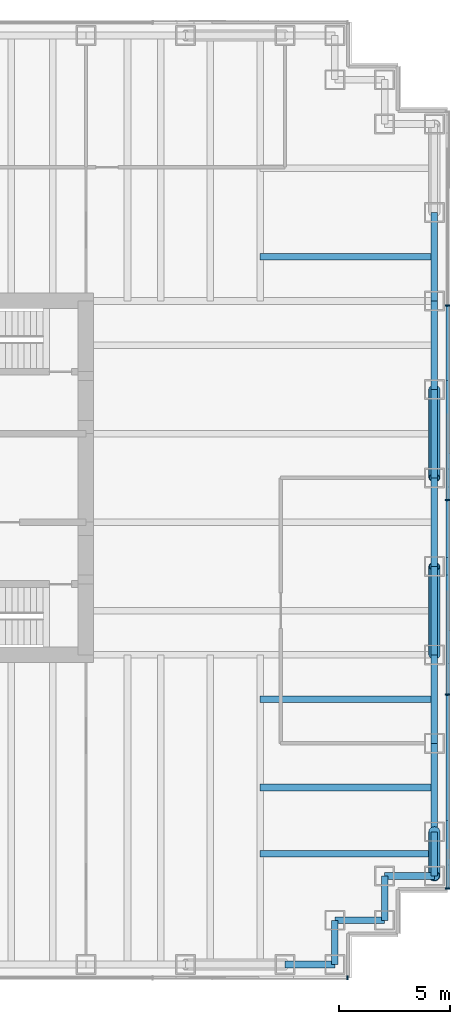
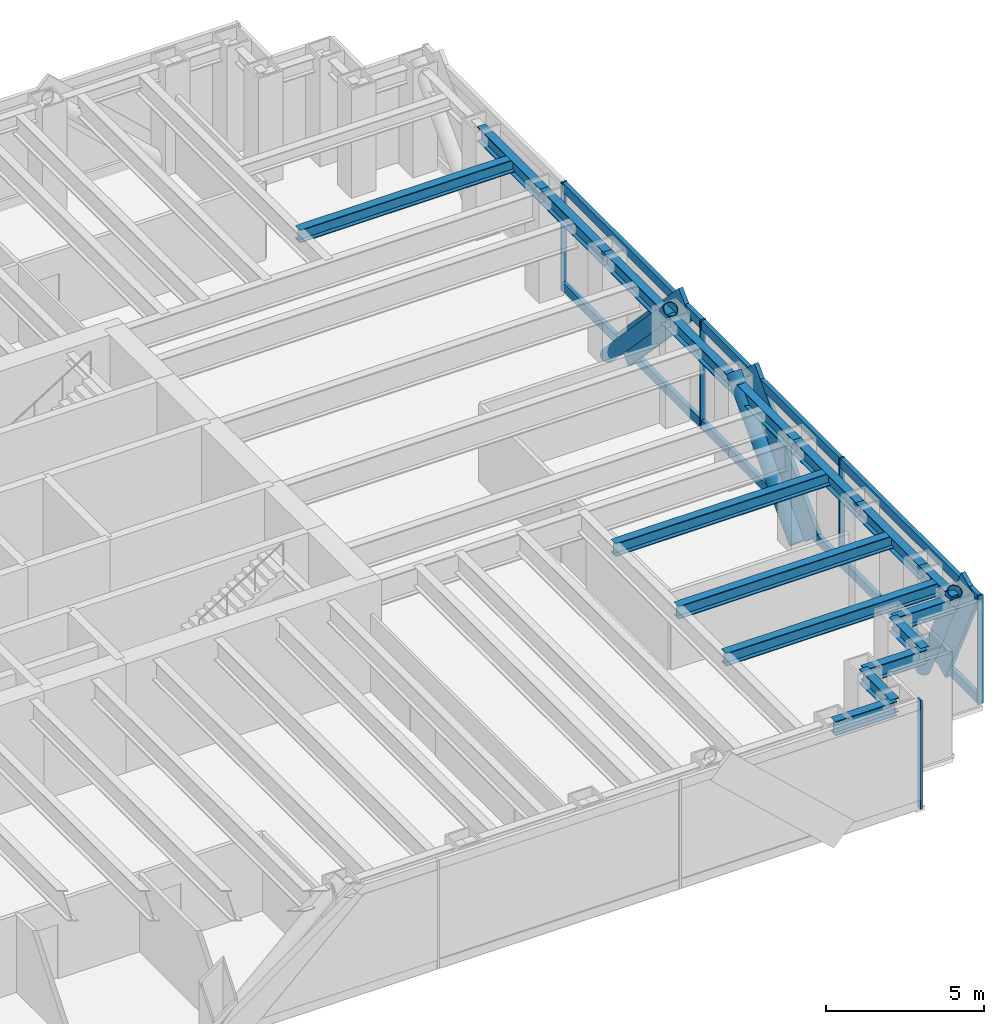
# One storey, part 8 of 15: 17 beams, 17 members, 2 elements without a shape of their own.
"""IFC4 building model written with IfcOpenShell, lengths in metres."""

from ifc_helpers import new_model, si_unit, direction, frame, origin, origin_2d, place, context, subcontext, project, spatial, rectangle, hollow_circle, i_section, extrude, material, material_profile, profile_set, type_object, element, aggregate, save


model = new_model("IFC4")

# Units and contexts
model_context = context("Model", 3, precision=1e-05, world=origin(), true_north=direction((0.0, 1.0)))
body_context = subcontext(model_context, "Body", "Model", "MODEL_VIEW")
ifc_project = project(units=[si_unit("LENGTHUNIT", "METRE"), si_unit("AREAUNIT", "SQUARE_METRE"), si_unit("VOLUMEUNIT", "CUBIC_METRE"), si_unit("PLANEANGLEUNIT", "RADIAN"), si_unit("MASSUNIT", "GRAM", prefix="KILO")], contexts=[model_context])

# Site, building, storey
site_placement = place(None, origin())
site = spatial("IfcSite", under=ifc_project, at=site_placement, CompositionType="ELEMENT")
building_placement = place(site_placement, origin())
building = spatial("IfcBuilding", under=site, at=building_placement, Name="Rheinbord Bourse Tower", CompositionType="ELEMENT")
storey_placement = place(building_placement, frame((0.0, 0.0, 308.89990234375)))
storey = spatial("IfcBuildingStorey", under=building, at=storey_placement, Name="L70", CompositionType="ELEMENT", Elevation=308.89990234375)

# Curtain wall, members
ifc_material_1 = material(Name="Dark glass and black aluminium", Category="aluminium")
curtain_wall_type = type_object("IfcCurtainWallType", Name="CW3 DARK GLASS CURTAIN WALL", PredefinedType="USERDEFINED", material=ifc_material_1)
curtain_wall_1_placement = place(storey_placement, origin())
curtain_wall_1 = element("IfcCurtainWall", 1, at=curtain_wall_1_placement, inside=storey, type_object=curtain_wall_type, Name="Curtain wall CW3 E L70", ObjectType="UNITISED CURTAIN WALL", PredefinedType="USERDEFINED")
ifc_material_2 = material(Name="Black anodised aluminium", Category="aluminium")
ifc_material_profile_1 = material_profile(ifc_material_2, rectangle(XDim=0.14990234375, YDim=1.10791015625, at=origin_2d()), Name="CW3 DIAGONAL MULLION 1108x150")
ifc_profile_set_1 = profile_set([ifc_material_profile_1], Name="Black anodised aluminium")
member_type_1 = type_object("IfcMemberType", Name="CW3 BLACK DIAGONAL MULLION", PredefinedType="USERDEFINED", material=ifc_profile_set_1)
member_1_placement = place(storey_placement, frame((70.35009765625, 8.0, 0.0), z_axis=(0.0, -0.429917283348, 0.902868279141), x_axis=(1.0, 0.0, 0.0)))
member_1 = element("IfcMember", 2, at=member_1_placement, type_object=member_type_1, Name="CW3 diagonal mullion a", ObjectType="DIAGONAL MULLION", PredefinedType="USERDEFINED", context=body_context, shape_type="SweptSolid", body=[
    extrude(rectangle(XDim=0.14990234375, YDim=1.10791015625, at=origin_2d()), origin(), (0.0, 0.0, 1.0), 4.652099609375),
])
member_2_placement = place(storey_placement, frame((70.35009765625, 16.0, 0.0), z_axis=(0.0, 0.689638355374, 0.72415394689), x_axis=(-1.0, 0.0, 0.0)))
member_2 = element("IfcMember", 3, at=member_2_placement, type_object=member_type_1, Name="CW3 diagonal mullion c", ObjectType="DIAGONAL MULLION", PredefinedType="USERDEFINED", context=body_context, shape_type="SweptSolid", body=[
    extrude(rectangle(XDim=0.14990234375, YDim=1.10791015625, at=origin_2d()), origin(), (0.0, 0.0, 1.0), 5.800048828125),
])
member_3_placement = place(storey_placement, frame((70.35009765625, 28.0, 0.0), z_axis=(0.0, -0.689638355374, 0.72415394689), x_axis=(1.0, 0.0, 0.0)))
member_3 = element("IfcMember", 4, at=member_3_placement, type_object=member_type_1, Name="CW3 diagonal mullion d", ObjectType="DIAGONAL MULLION", PredefinedType="USERDEFINED", context=body_context, shape_type="SweptSolid", body=[
    extrude(rectangle(XDim=0.14990234375, YDim=1.10791015625, at=origin_2d()), origin(), (0.0, 0.0, 1.0), 5.800048828125),
])

# Curtain wall, member
curtain_wall_2_placement = place(storey_placement, origin())
curtain_wall_2 = element("IfcCurtainWall", 5, at=curtain_wall_2_placement, inside=storey, type_object=curtain_wall_type, Name="Curtain wall CW3 S L70", ObjectType="UNITISED CURTAIN WALL", PredefinedType="USERDEFINED")
ifc_material_3 = material(Name="Black anodised aluminium", Category="aluminium")
ifc_material_profile_2 = material_profile(ifc_material_3, rectangle(XDim=0.199951171875, YDim=0.06494140625, at=origin_2d()), Name="CW3 MULLION 65x200")
ifc_profile_set_2 = profile_set([ifc_material_profile_2], Name="Black anodised aluminium")
member_type_2 = type_object("IfcMemberType", Name="CW3 BLACK MULLION", PredefinedType="MULLION", material=ifc_profile_set_2)
member_4_placement = place(storey_placement, frame((65.8173828125, 1.39990234375, 0.0), z_axis=(0.0, 0.0, 1.0), x_axis=(0.0, 1.0, 0.0)))
member_4 = element("IfcMember", 6, at=member_4_placement, type_object=member_type_2, Name="CW3 mullion 8", PredefinedType="MULLION", context=body_context, shape_type="SweptSolid", body=[
    extrude(rectangle(XDim=0.199951171875, YDim=0.06494140625, at=origin_2d()), origin(), (0.0, 0.0, 1.0), 4.2001953125),
])
aggregate(curtain_wall_2, [member_4])

# Member
member_5_placement = place(storey_placement, frame((70.35009765625, 5.4326171875, 0.0), z_axis=(0.0, 0.0, 1.0), x_axis=(-1.0, 0.0, 0.0)))
member_5 = element("IfcMember", 7, at=member_5_placement, type_object=member_type_2, Name="CW3 mullion 1", PredefinedType="MULLION", context=body_context, shape_type="SweptSolid", body=[
    extrude(rectangle(XDim=0.199951171875, YDim=0.06494140625, at=origin_2d()), origin(), (0.0, 0.0, 1.0), 4.2001953125),
])

member_6_placement = place(storey_placement, frame((70.35009765625, 14.199951171875, 0.0), z_axis=(0.0, 0.0, 1.0), x_axis=(-1.0, 0.0, 0.0)))
member_6 = element("IfcMember", 8, at=member_6_placement, type_object=member_type_2, Name="CW3 mullion 2", PredefinedType="MULLION", context=body_context, shape_type="SweptSolid", body=[
    extrude(rectangle(XDim=0.199951171875, YDim=0.06494140625, at=origin_2d()), origin(), (0.0, 0.0, 1.0), 4.2001953125),
])

member_7_placement = place(storey_placement, frame((70.35009765625, 23.0, 0.0), z_axis=(0.0, 0.0, 1.0), x_axis=(-1.0, 0.0, 0.0)))
member_7 = element("IfcMember", 9, at=member_7_placement, type_object=member_type_2, Name="CW3 mullion 3", PredefinedType="MULLION", context=body_context, shape_type="SweptSolid", body=[
    extrude(rectangle(XDim=0.199951171875, YDim=0.06494140625, at=origin_2d()), origin(), (0.0, 0.0, 1.0), 4.2001953125),
])

member_8_placement = place(storey_placement, frame((70.35009765625, 31.800048828125, 0.0), z_axis=(0.0, 0.0, 1.0), x_axis=(-1.0, 0.0, 0.0)))
member_8 = element("IfcMember", 10, at=member_8_placement, type_object=member_type_2, Name="CW3 mullion 4", PredefinedType="MULLION", context=body_context, shape_type="SweptSolid", body=[
    extrude(rectangle(XDim=0.199951171875, YDim=0.06494140625, at=origin_2d()), origin(), (0.0, 0.0, 1.0), 4.2001953125),
])

ifc_material_4 = material(Name="Black anodised aluminium", Category="aluminium")
ifc_material_profile_3 = material_profile(ifc_material_4, rectangle(XDim=0.14990234375, YDim=0.35009765625, at=origin_2d()), Name="CW3 TRANSOM 350x150")
ifc_profile_set_3 = profile_set([ifc_material_profile_3], Name="Black anodised aluminium")
member_type_3 = type_object("IfcMemberType", Name="CW3 BLACK TRANSOM", PredefinedType="USERDEFINED", material=ifc_profile_set_3)
member_9_placement = place(storey_placement, frame((70.35009765625, 5.465087890625, 0.175048828125), z_axis=(0.0, 1.0, 0.0), x_axis=(-1.0, 0.0, 0.0)))
member_9 = element("IfcMember", 11, at=member_9_placement, type_object=member_type_3, Name="CW3 transom 1.1", ObjectType="TRANSOM", PredefinedType="USERDEFINED", context=body_context, shape_type="SweptSolid", body=[
    extrude(rectangle(XDim=0.14990234375, YDim=0.35009765625, at=origin_2d()), origin(), (0.0, 0.0, 1.0), 8.702392578125),
])

member_10_placement = place(storey_placement, frame((70.35009765625, 5.465087890625, 4.025146484375), z_axis=(0.0, 1.0, 0.0), x_axis=(-1.0, 0.0, 0.0)))
member_10 = element("IfcMember", 12, at=member_10_placement, type_object=member_type_3, Name="CW3 transom 1.2", ObjectType="TRANSOM", PredefinedType="USERDEFINED", context=body_context, shape_type="SweptSolid", body=[
    extrude(rectangle(XDim=0.14990234375, YDim=0.35009765625, at=origin_2d()), origin(), (0.0, 0.0, 1.0), 8.702392578125),
])

member_11_placement = place(storey_placement, frame((70.35009765625, 14.232421875, 0.175048828125), z_axis=(0.0, 1.0, 0.0), x_axis=(-1.0, 0.0, 0.0)))
member_11 = element("IfcMember", 13, at=member_11_placement, type_object=member_type_3, Name="CW3 transom 2.1", ObjectType="TRANSOM", PredefinedType="USERDEFINED", context=body_context, shape_type="SweptSolid", body=[
    extrude(rectangle(XDim=0.14990234375, YDim=0.35009765625, at=origin_2d()), origin(), (0.0, 0.0, 1.0), 8.735107421875),
])

member_12_placement = place(storey_placement, frame((70.35009765625, 14.232421875, 4.025146484375), z_axis=(0.0, 1.0, 0.0), x_axis=(-1.0, 0.0, 0.0)))
member_12 = element("IfcMember", 14, at=member_12_placement, type_object=member_type_3, Name="CW3 transom 2.2", ObjectType="TRANSOM", PredefinedType="USERDEFINED", context=body_context, shape_type="SweptSolid", body=[
    extrude(rectangle(XDim=0.14990234375, YDim=0.35009765625, at=origin_2d()), origin(), (0.0, 0.0, 1.0), 8.735107421875),
])

member_13_placement = place(storey_placement, frame((70.35009765625, 23.032470703125, 0.175048828125), z_axis=(0.0, 1.0, 0.0), x_axis=(-1.0, 0.0, 0.0)))
member_13 = element("IfcMember", 15, at=member_13_placement, type_object=member_type_3, Name="CW3 transom 3.1", ObjectType="TRANSOM", PredefinedType="USERDEFINED", context=body_context, shape_type="SweptSolid", body=[
    extrude(rectangle(XDim=0.14990234375, YDim=0.35009765625, at=origin_2d()), origin(), (0.0, 0.0, 1.0), 8.735107421875),
])

member_14_placement = place(storey_placement, frame((70.35009765625, 23.032470703125, 4.025146484375), z_axis=(0.0, 1.0, 0.0), x_axis=(-1.0, 0.0, 0.0)))
member_14 = element("IfcMember", 16, at=member_14_placement, type_object=member_type_3, Name="CW3 transom 3.2", ObjectType="TRANSOM", PredefinedType="USERDEFINED", context=body_context, shape_type="SweptSolid", body=[
    extrude(rectangle(XDim=0.14990234375, YDim=0.35009765625, at=origin_2d()), origin(), (0.0, 0.0, 1.0), 8.735107421875),
])

aggregate(curtain_wall_1, [member_5, member_6, member_7, member_8, member_9, member_10, member_11, member_12, member_13, member_14, member_1, member_2, member_3])

# Members
ifc_material_5 = material(Name="Steel S460", Category="steel")
ifc_material_profile_4 = material_profile(ifc_material_5, hollow_circle(Radius=0.25390625, WallThickness=0.030029296875, at=origin_2d()), Name="CHS 508x30")
ifc_profile_set_4 = profile_set([ifc_material_profile_4], Name="Steel S460")
member_type_4 = type_object("IfcMemberType", Name="MEGABRACE CHS 508x30", PredefinedType="BRACE", material=ifc_profile_set_4)
member_15_placement = place(storey_placement, frame((69.75, 8.0, 0.0), z_axis=(0.0, -0.429917283348, 0.902868279141), x_axis=(1.0, 0.0, 0.0)))
element("IfcMember", 17, at=member_15_placement, inside=storey, type_object=member_type_4, Name="Megabrace E face line a L70", PredefinedType="BRACE", context=body_context, shape_type="SweptSolid", body=[
    extrude(hollow_circle(Radius=0.25390625, WallThickness=0.030029296875, at=origin_2d()), origin(), (0.0, 0.0, 1.0), 4.652099609375),
])
for number, where, z_axis, x_axis, name in (
    (18, (69.75, 16.0, 0.0), (0.0, 0.689638355374, 0.72415394689), (-1.0, 0.0, 0.0), "Megabrace E face line c L70"),
    (19, (69.75, 28.0, 0.0), (0.0, -0.689638355374, 0.72415394689), (1.0, 0.0, 0.0), "Megabrace E face line d L70"),
):
    element("IfcMember", number, at=place(storey_placement, frame(where, z_axis=z_axis, x_axis=x_axis)), inside=storey, type_object=member_type_4, Name=name, PredefinedType="BRACE", context=body_context, shape_type="SweptSolid", body=[
        extrude(hollow_circle(Radius=0.25390625, WallThickness=0.030029296875, at=origin_2d()), origin(), (0.0, 0.0, 1.0), 5.800048828125),
    ])

# Beams
ifc_material_6 = material(Name="Steel S460", Category="steel")
ifc_material_profile_5 = material_profile(ifc_material_6, i_section(OverallWidth=0.300048828125, OverallDepth=0.550048828125, WebThickness=0.014892578125, FlangeThickness=0.029052734375, at=origin_2d()), Name="HEB 550")
ifc_profile_set_5 = profile_set([ifc_material_profile_5], Name="Steel S460")
beam_type_1 = type_object("IfcBeamType", Name="SPANDREL HEB 550", PredefinedType="SPANDREL", material=ifc_profile_set_5)
beam_1_placement = place(storey_placement, frame((63.0, 2.0, 3.76513671875), z_axis=(1.0, 0.0, 0.0), x_axis=(0.0, 1.0, 0.0)))
element("IfcBeam", 20, at=beam_1_placement, inside=storey, type_object=beam_type_1, Name="Spandrel S-63-SE-E under L71", PredefinedType="SPANDREL", context=body_context, shape_type="SweptSolid", body=[
    extrude(i_section(OverallWidth=0.300048828125, OverallDepth=0.550048828125, WebThickness=0.014892578125, FlangeThickness=0.029052734375, at=origin_2d()), origin(), (0.0, 0.0, 1.0), 2.25),
])
beam_2_placement = place(storey_placement, frame((65.25, 2.0, 3.76513671875), z_axis=(0.0, 1.0, 0.0), x_axis=(-1.0, 0.0, 0.0)))
element("IfcBeam", 21, at=beam_2_placement, inside=storey, type_object=beam_type_1, Name="Spandrel SE-E-SE-D under L71", PredefinedType="SPANDREL", context=body_context, shape_type="SweptSolid", body=[
    extrude(i_section(OverallWidth=0.300048828125, OverallDepth=0.550048828125, WebThickness=0.014892578125, FlangeThickness=0.029052734375, at=origin_2d()), origin(), (0.0, 0.0, 1.0), 2.0),
])
beam_3_placement = place(storey_placement, frame((65.25, 4.0, 3.76513671875), z_axis=(1.0, 0.0, 0.0), x_axis=(0.0, 1.0, 0.0)))
element("IfcBeam", 22, at=beam_3_placement, inside=storey, type_object=beam_type_1, Name="Spandrel SE-D-SE-C under L71", PredefinedType="SPANDREL", context=body_context, shape_type="SweptSolid", body=[
    extrude(i_section(OverallWidth=0.300048828125, OverallDepth=0.550048828125, WebThickness=0.014892578125, FlangeThickness=0.029052734375, at=origin_2d()), origin(), (0.0, 0.0, 1.0), 2.25),
])
beam_4_placement = place(storey_placement, frame((67.5, 4.0, 3.76513671875), z_axis=(0.0, 1.0, 0.0), x_axis=(-1.0, 0.0, 0.0)))
element("IfcBeam", 23, at=beam_4_placement, inside=storey, type_object=beam_type_1, Name="Spandrel SE-C-SE-B under L71", PredefinedType="SPANDREL", context=body_context, shape_type="SweptSolid", body=[
    extrude(i_section(OverallWidth=0.300048828125, OverallDepth=0.550048828125, WebThickness=0.014892578125, FlangeThickness=0.029052734375, at=origin_2d()), origin(), (0.0, 0.0, 1.0), 2.0),
])
beam_5_placement = place(storey_placement, frame((67.5, 6.0, 3.76513671875), z_axis=(1.0, 0.0, 0.0), x_axis=(0.0, 1.0, 0.0)))
element("IfcBeam", 24, at=beam_5_placement, inside=storey, type_object=beam_type_1, Name="Spandrel SE-B-SE-A under L71", PredefinedType="SPANDREL", context=body_context, shape_type="SweptSolid", body=[
    extrude(i_section(OverallWidth=0.300048828125, OverallDepth=0.550048828125, WebThickness=0.014892578125, FlangeThickness=0.029052734375, at=origin_2d()), origin(), (0.0, 0.0, 1.0), 2.25),
])
beam_6_placement = place(storey_placement, frame((69.75, 6.0, 3.76513671875), z_axis=(0.0, 1.0, 0.0), x_axis=(-1.0, 0.0, 0.0)))
element("IfcBeam", 25, at=beam_6_placement, inside=storey, type_object=beam_type_1, Name="Spandrel SE-A-E-8 under L71", PredefinedType="SPANDREL", context=body_context, shape_type="SweptSolid", body=[
    extrude(i_section(OverallWidth=0.300048828125, OverallDepth=0.550048828125, WebThickness=0.014892578125, FlangeThickness=0.029052734375, at=origin_2d()), origin(), (0.0, 0.0, 1.0), 2.0),
])
for number, where, z_axis, x_axis, name in (
    (26, (69.75, 8.0, 3.76513671875), (0.0, 1.0, 0.0), (-1.0, 0.0, 0.0), "Spandrel E-8-E-12 under L71"),
    (27, (69.75, 12.0, 3.76513671875), (0.0, 1.0, 0.0), (-1.0, 0.0, 0.0), "Spandrel E-12-E-16 under L71"),
    (28, (69.75, 16.0, 3.76513671875), (0.0, 1.0, 0.0), (-1.0, 0.0, 0.0), "Spandrel E-16-E-20 under L71"),
    (29, (69.75, 20.0, 3.76513671875), (0.0, 1.0, 0.0), (-1.0, 0.0, 0.0), "Spandrel E-20-E-24 under L71"),
    (30, (69.75, 24.0, 3.76513671875), (0.0, 1.0, 0.0), (-1.0, 0.0, 0.0), "Spandrel E-24-E-28 under L71"),
    (31, (69.75, 28.0, 3.76513671875), (0.0, 1.0, 0.0), (-1.0, 0.0, 0.0), "Spandrel E-28-E-32 under L71"),
    (32, (69.75, 32.0, 3.76513671875), (0.0, 1.0, 0.0), (-1.0, 0.0, 0.0), "Spandrel E-32-E-36 under L71"),
):
    element("IfcBeam", number, at=place(storey_placement, frame(where, z_axis=z_axis, x_axis=x_axis)), inside=storey, type_object=beam_type_1, Name=name, PredefinedType="SPANDREL", context=body_context, shape_type="SweptSolid", body=[
        extrude(i_section(OverallWidth=0.300048828125, OverallDepth=0.550048828125, WebThickness=0.014892578125, FlangeThickness=0.029052734375, at=origin_2d()), origin(), (0.0, 0.0, 1.0), 4.0),
    ])
ifc_material_7 = material(Name="Steel S460", Category="steel")
ifc_material_profile_6 = material_profile(ifc_material_7, i_section(OverallWidth=0.300048828125, OverallDepth=0.5, WebThickness=0.014404296875, FlangeThickness=0.028076171875, at=origin_2d()), Name="HEB 500")
ifc_profile_set_6 = profile_set([ifc_material_profile_6], Name="Steel S460")
beam_type_2 = type_object("IfcBeamType", Name="TIE BEAM HEB 500", PredefinedType="JOIST", material=ifc_profile_set_6)
for number, where, z_axis, x_axis, name in (
    (33, (61.875, 7.0, 3.7900390625), (1.0, 0.0, 0.0), (0.0, 1.0, 0.0), "Tie east 7 L71"),
    (34, (61.875, 10.0, 3.7900390625), (1.0, 0.0, 0.0), (0.0, 1.0, 0.0), "Tie east 10 L71"),
    (35, (61.875, 14.0, 3.7900390625), (1.0, 0.0, 0.0), (0.0, 1.0, 0.0), "Tie east 14 L71"),
    (36, (61.875, 34.0, 3.7900390625), (1.0, 0.0, 0.0), (0.0, 1.0, 0.0), "Tie east 34 L71"),
):
    element("IfcBeam", number, at=place(storey_placement, frame(where, z_axis=z_axis, x_axis=x_axis)), inside=storey, type_object=beam_type_2, Name=name, PredefinedType="JOIST", context=body_context, shape_type="SweptSolid", body=[
        extrude(i_section(OverallWidth=0.300048828125, OverallDepth=0.5, WebThickness=0.014404296875, FlangeThickness=0.028076171875, at=origin_2d()), origin(), (0.0, 0.0, 1.0), 7.875),
    ])

save(model, "model.ifc")
